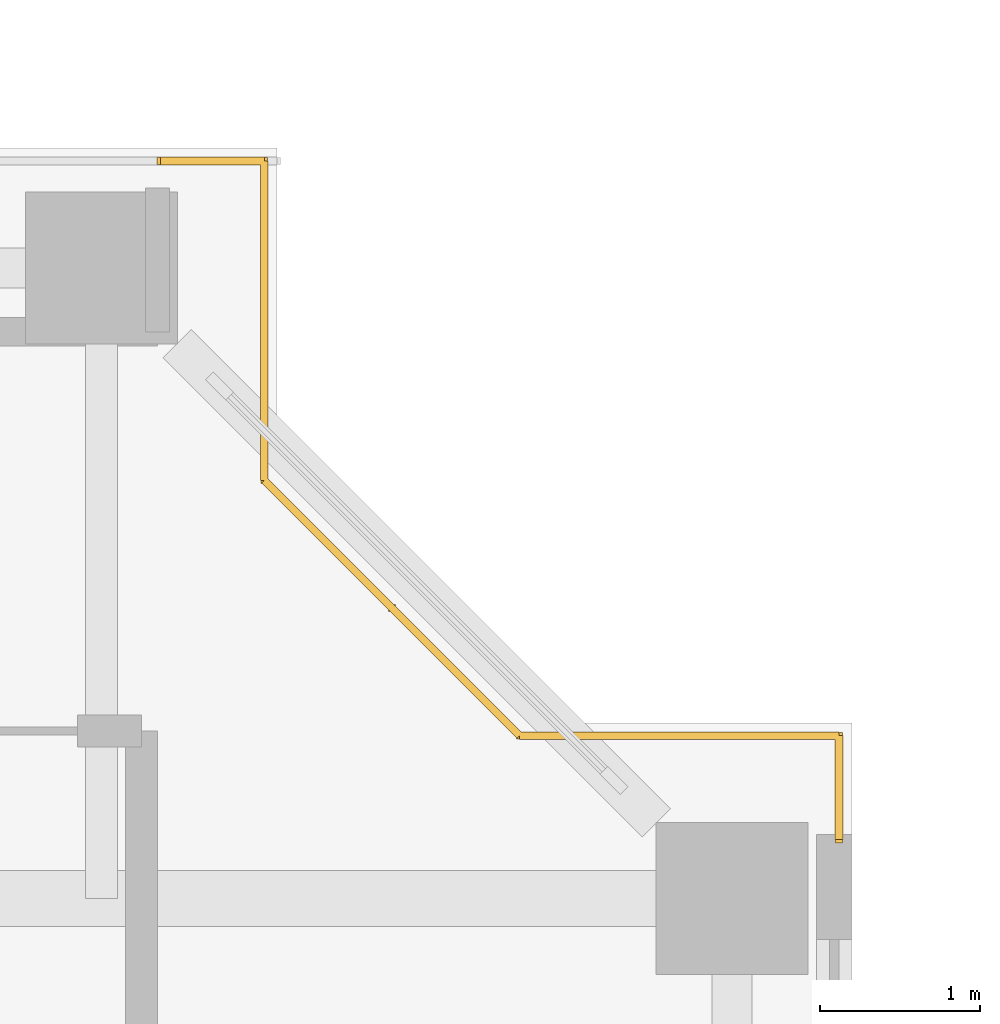
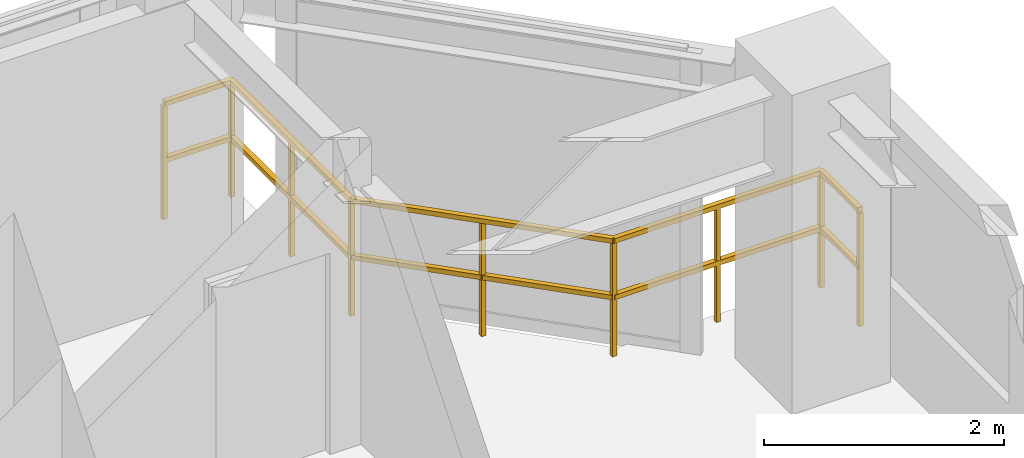
# One storey, part 24 of 24: 1 railing.
"""IFC4 building model written with IfcOpenShell, lengths in metres."""

from ifc_helpers import new_model, si_unit, direction, frame, origin, origin_2d, place, context, subcontext, project, spatial, rectangle, extrude, material, type_object, element, save


model = new_model("IFC4")

# Units and contexts
model_context = context("Model", 3, precision=1e-05, world=origin(), true_north=direction((0.0, 1.0)))
body_context = subcontext(model_context, "Body", "Model", "MODEL_VIEW")
ifc_project = project(units=[si_unit("LENGTHUNIT", "METRE"), si_unit("AREAUNIT", "SQUARE_METRE"), si_unit("VOLUMEUNIT", "CUBIC_METRE"), si_unit("PLANEANGLEUNIT", "RADIAN"), si_unit("MASSUNIT", "GRAM", prefix="KILO"), si_unit("THERMODYNAMICTEMPERATUREUNIT", "KELVIN"), si_unit("POWERUNIT", "WATT")], contexts=[model_context])

# Site, building, storey
site_placement = place(None, origin())
site = spatial("IfcSite", under=ifc_project, at=site_placement, CompositionType="ELEMENT")
building_placement = place(site_placement, origin())
building = spatial("IfcBuilding", under=site, at=building_placement, Name="Qiaomeng Ring Towers", CompositionType="ELEMENT")
storey_placement = place(building_placement, frame((0.0, 0.0, 63.25)))
storey = spatial("IfcBuildingStorey", under=building, at=storey_placement, Name="L17", CompositionType="ELEMENT", Elevation=63.25)

# Railing
ifc_material = material(Name="Low-E pale-green laminated safety glass", Category="glass")
railing_type = type_object("IfcRailingType", Name="ARC-RL-BAL1", PredefinedType="BALUSTRADE", material=ifc_material)
railing_placement = place(storey_placement, frame((73.919921875, 32.169921875, 0.0)))
element("IfcRailing", 1, at=railing_placement, inside=storey, type_object=railing_type, Name="L17 Balustrade ARC-BAL-NOTCH2-L17-NE", PredefinedType="BALUSTRADE", context=body_context, shape_type="SweptSolid", body=[
    extrude(rectangle(XDim=0.048095703125, YDim=0.048095703125, at=origin_2d()), frame((0.0, 0.0, 1.17578125), z_axis=(0.0, 1.0, 0.0), x_axis=(-1.0, 0.0, 0.0)), (0.0, 0.0, 1.0), 0.650146484375),
    extrude(rectangle(XDim=0.048095703125, YDim=0.048095703125, at=origin_2d()), frame((0.0, 0.0, 0.60009765625), z_axis=(0.0, 1.0, 0.0), x_axis=(-1.0, 0.0, 0.0)), (0.0, 0.0, 1.0), 0.650146484375),
    extrude(rectangle(XDim=0.048095703125, YDim=0.048095703125, at=origin_2d()), frame((0.0, 0.650146484375, 1.17578125), z_axis=(-1.0, 0.0, 0.0), x_axis=(0.0, -1.0, 0.0)), (0.0, 0.0, 1.0), 2.0),
    extrude(rectangle(XDim=0.048095703125, YDim=0.048095703125, at=origin_2d()), frame((0.0, 0.650146484375, 0.60009765625), z_axis=(-1.0, 0.0, 0.0), x_axis=(0.0, -1.0, 0.0)), (0.0, 0.0, 1.0), 2.0),
    extrude(rectangle(XDim=0.048095703125, YDim=0.048095703125, at=origin_2d()), frame((-2.0, 0.650146484375, 1.17578125), z_axis=(-0.707106781187, 0.707106781187, 0.0), x_axis=(-0.707106781187, -0.707106781187, 0.0)), (0.0, 0.0, 1.0), 2.262451171875),
    extrude(rectangle(XDim=0.048095703125, YDim=0.048095703125, at=origin_2d()), frame((-2.0, 0.650146484375, 0.60009765625), z_axis=(-0.707106781187, 0.707106781187, 0.0), x_axis=(-0.707106781187, -0.707106781187, 0.0)), (0.0, 0.0, 1.0), 2.262451171875),
    extrude(rectangle(XDim=0.048095703125, YDim=0.048095703125, at=origin_2d()), frame((-3.599853515625, 2.25, 1.17578125), z_axis=(0.0, 1.0, 0.0), x_axis=(-1.0, 0.0, 0.0)), (0.0, 0.0, 1.0), 2.0),
    extrude(rectangle(XDim=0.048095703125, YDim=0.048095703125, at=origin_2d()), frame((-3.599853515625, 2.25, 0.60009765625), z_axis=(0.0, 1.0, 0.0), x_axis=(-1.0, 0.0, 0.0)), (0.0, 0.0, 1.0), 2.0),
    extrude(rectangle(XDim=0.048095703125, YDim=0.048095703125, at=origin_2d()), frame((-3.599853515625, 4.25, 1.17578125), z_axis=(-1.0, 0.0, 0.0), x_axis=(0.0, -1.0, 0.0)), (0.0, 0.0, 1.0), 0.650146484375),
    extrude(rectangle(XDim=0.048095703125, YDim=0.048095703125, at=origin_2d()), frame((-3.599853515625, 4.25, 0.60009765625), z_axis=(-1.0, 0.0, 0.0), x_axis=(0.0, -1.0, 0.0)), (0.0, 0.0, 1.0), 0.650146484375),
    extrude(rectangle(XDim=0.0419921875, YDim=0.0419921875, at=origin_2d()), origin(), (0.0, 0.0, 1.0), 1.15185546875),
    extrude(rectangle(XDim=0.0419921875, YDim=0.0419921875, at=origin_2d()), frame((0.0, 0.650146484375, 0.0)), (0.0, 0.0, 1.0), 1.15185546875),
    extrude(rectangle(XDim=0.0419921875, YDim=0.0419921875, at=origin_2d()), frame((-1.0, 0.650146484375, 0.0)), (0.0, 0.0, 1.0), 1.15185546875),
    extrude(rectangle(XDim=0.0419921875, YDim=0.0419921875, at=origin_2d()), frame((-2.0, 0.650146484375, 0.0)), (0.0, 0.0, 1.0), 1.15185546875),
    extrude(rectangle(XDim=0.0419921875, YDim=0.0419921875, at=origin_2d()), frame((-2.7998046875, 1.4501953125, 0.0)), (0.0, 0.0, 1.0), 1.15185546875),
    extrude(rectangle(XDim=0.0419921875, YDim=0.0419921875, at=origin_2d()), frame((-3.599853515625, 2.25, 0.0)), (0.0, 0.0, 1.0), 1.15185546875),
    extrude(rectangle(XDim=0.0419921875, YDim=0.0419921875, at=origin_2d()), frame((-3.599853515625, 3.25, 0.0)), (0.0, 0.0, 1.0), 1.15185546875),
    extrude(rectangle(XDim=0.0419921875, YDim=0.0419921875, at=origin_2d()), frame((-3.599853515625, 4.25, 0.0)), (0.0, 0.0, 1.0), 1.15185546875),
    extrude(rectangle(XDim=0.0419921875, YDim=0.0419921875, at=origin_2d()), frame((-4.25, 4.25, 0.0)), (0.0, 0.0, 1.0), 1.15185546875),
])

save(model, "model.ifc")
